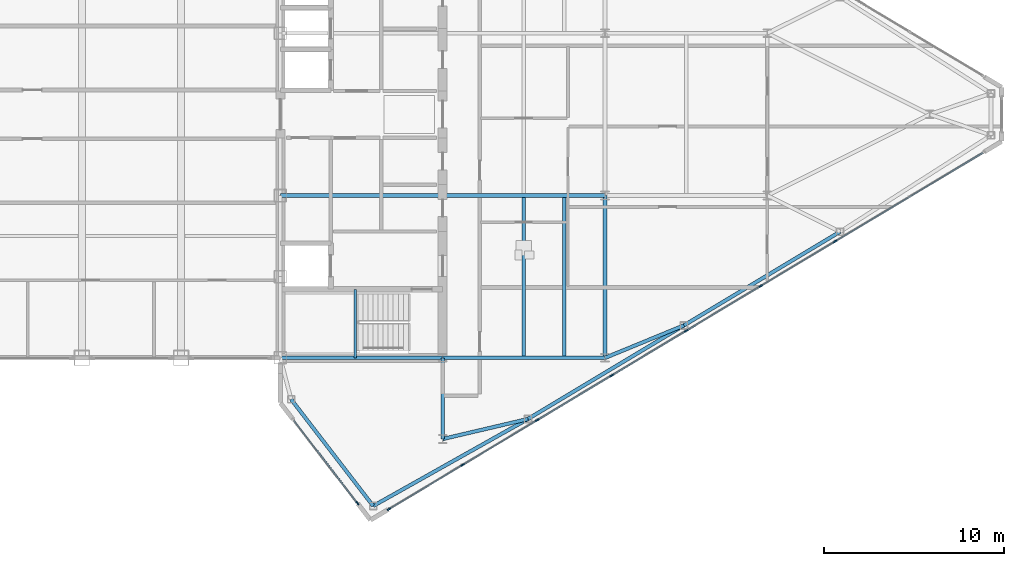
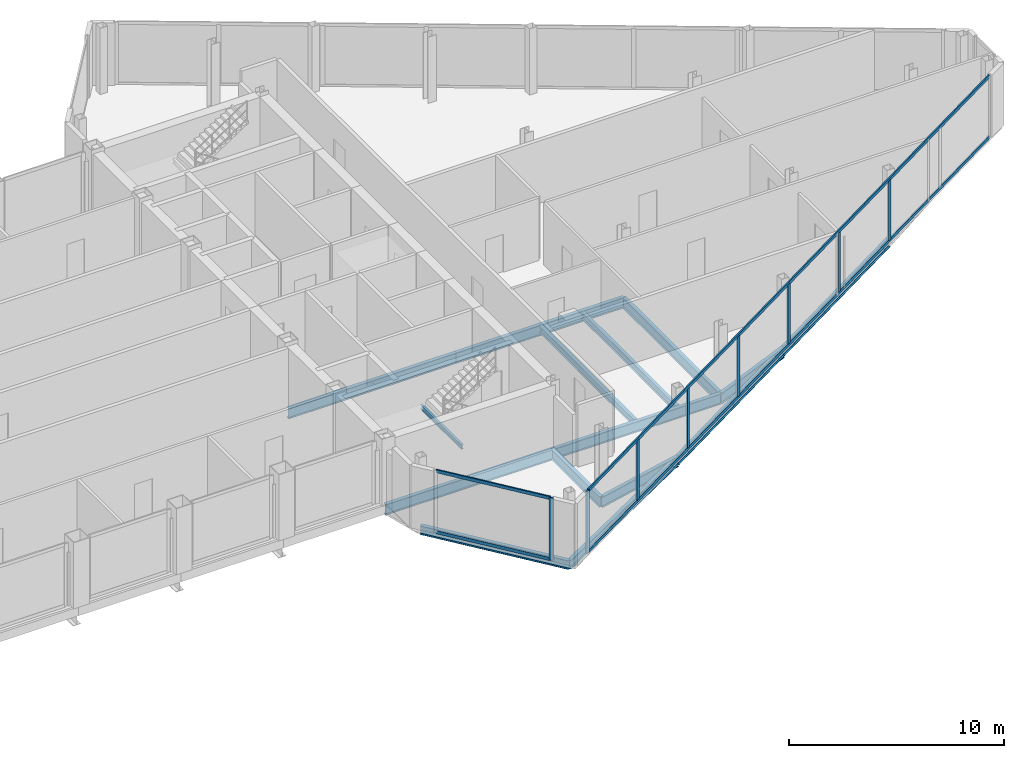
# One storey, part 14 of 29: 15 beams, 12 members, 2 elements without a shape of their own.
"""IFC4 building model written with IfcOpenShell, lengths in metres."""

from ifc_helpers import new_model, si_unit, direction, frame, origin, origin_2d, place, context, subcontext, project, spatial, rectangle, i_section, extrude, source, transform, mapped, material, layer, layer_set, material_profile, profile_set, type_object, type_shapes, element, aggregate, save


model = new_model("IFC4")

# Units and contexts
model_context = context("Model", 3, precision=1e-05, world=origin(), true_north=direction((0.0, 1.0)))
body_context = subcontext(model_context, "Body", "Model", "MODEL_VIEW")
ifc_project = project(units=[si_unit("LENGTHUNIT", "METRE"), si_unit("AREAUNIT", "SQUARE_METRE"), si_unit("VOLUMEUNIT", "CUBIC_METRE"), si_unit("PLANEANGLEUNIT", "RADIAN"), si_unit("MASSUNIT", "GRAM", prefix="KILO")], contexts=[model_context])

# Site, building, storey
site_placement = place(None, origin())
site = spatial("IfcSite", under=ifc_project, at=site_placement, CompositionType="ELEMENT")
building_placement = place(site_placement, origin())
building = spatial("IfcBuilding", under=site, at=building_placement, Name="Seokmaru Belvedere", CompositionType="ELEMENT")
storey_placement = place(building_placement, frame((0.0, 0.0, 258.14990234375)))
storey = spatial("IfcBuildingStorey", under=building, at=storey_placement, Name="L68", CompositionType="ELEMENT", Elevation=258.14990234375)

# Beams
ifc_material_1 = material(Name="Steel SM355 (355 MPa)", Category="steel")
ifc_material_profile_1 = material_profile(ifc_material_1, i_section(OverallWidth=0.199951171875, OverallDepth=0.60009765625, WebThickness=0.010986328125, FlangeThickness=0.01708984375, at=origin_2d()), Name="H-600x200x11x17")
ifc_profile_set_1 = profile_set([ifc_material_profile_1], Name="Steel SM355 (355 MPa)")
beam_type_1 = type_object("IfcBeamType", Name="Primary Floor Girder H-600", PredefinedType="BEAM", material=ifc_profile_set_1)
shared_shape_1 = source(origin(), body_context, "Body", "SweptSolid", [
    extrude(i_section(OverallWidth=0.199951171875, OverallDepth=0.60009765625, WebThickness=0.010986328125, FlangeThickness=0.01708984375, at=origin_2d()), origin(), (0.0, 0.0, 1.0), 9.0),
])
for number, where, z_axis, x_axis, name in (
    (1, (45.5, -13.5, -0.52001953125), (0.0, 1.0, 0.0), (-1.0, 0.0, 0.0), "L68 E Interior Grid Girder 1"),
    (2, (27.5, -13.5, -0.52001953125), (1.0, 0.0, 0.0), (0.0, 1.0, 0.0), "L68 E Core Tie Girder 1"),
    (3, (36.5, -13.5, -0.52001953125), (1.0, 0.0, 0.0), (0.0, 1.0, 0.0), "L68 E Wing Primary Girder 1"),
    (4, (27.5, -4.5, -0.52001953125), (1.0, 0.0, 0.0), (0.0, 1.0, 0.0), "L68 E Core Tie Girder 2"),
    (5, (36.5, -4.5, -0.52001953125), (1.0, 0.0, 0.0), (0.0, 1.0, 0.0), "L68 E Wing Primary Girder 2"),
):
    element("IfcBeam", number, at=place(storey_placement, frame(where, z_axis=z_axis, x_axis=x_axis)), inside=storey, type_object=beam_type_1, Name=name, PredefinedType="BEAM", context=body_context, shape_type="MappedRepresentation", body=[
        mapped(shared_shape_1, transform((0.0, 0.0, 0.0), scale=1.0)),
    ])
ifc_material_profile_2 = material_profile(ifc_material_1, i_section(OverallWidth=0.18505859375, OverallDepth=0.389892578125, WebThickness=0.008056640625, FlangeThickness=0.011962890625, at=origin_2d()), Name="H-390x185x8x12")
ifc_profile_set_2 = profile_set([ifc_material_profile_2], Name="Steel SM355 (355 MPa)")
beam_type_2 = type_object("IfcBeamType", Name="Secondary Floor Joist H-350", PredefinedType="JOIST", material=ifc_profile_set_2)
shared_shape_2 = source(origin(), body_context, "Body", "SweptSolid", [
    extrude(i_section(OverallWidth=0.18505859375, OverallDepth=0.389892578125, WebThickness=0.008056640625, FlangeThickness=0.011962890625, at=origin_2d()), origin(), (0.0, 0.0, 1.0), 8.7900390625),
])
type_shapes(beam_type_2, [shared_shape_2])
for number, where, z_axis, x_axis, name in (
    (6, (43.25, -13.39501953125, -0.414794921875), (0.0, 1.0, 0.0), (-1.0, 0.0, 0.0), "L68 E Wing Inner Secondary Joist 1"),
    (7, (41.0, -13.39501953125, -0.414794921875), (0.0, 1.0, 0.0), (-1.0, 0.0, 0.0), "L68 E Secondary Floor Joist 1"),
):
    element("IfcBeam", number, at=place(storey_placement, frame(where, z_axis=z_axis, x_axis=x_axis)), inside=storey, type_object=beam_type_2, Name=name, PredefinedType="JOIST", context=body_context, shape_type="MappedRepresentation", body=[
        mapped(shared_shape_2, transform((0.0, 0.0, 0.0), scale=1.0)),
    ])
shared_shape_3 = source(origin(), body_context, "Body", "SweptSolid", [
    extrude(i_section(OverallWidth=0.199951171875, OverallDepth=0.60009765625, WebThickness=0.010986328125, FlangeThickness=0.01708984375, at=origin_2d()), origin(), (0.0, 0.0, 1.0), 4.5),
])
beam_1_placement = place(storey_placement, frame((36.5, -18.0, -0.52001953125), z_axis=(0.0, 1.0, 0.0), x_axis=(-1.0, 0.0, 0.0)))
element("IfcBeam", 8, at=beam_1_placement, inside=storey, type_object=beam_type_1, Name="L68 E Core Shoulder Girder S", PredefinedType="BEAM", context=body_context, shape_type="MappedRepresentation", body=[
    mapped(shared_shape_3, transform((0.0, 0.0, 0.0), scale=1.0)),
])
ifc_material_profile_3 = material_profile(ifc_material_1, i_section(OverallWidth=0.199951171875, OverallDepth=0.5, WebThickness=0.010009765625, FlangeThickness=0.01611328125, at=origin_2d()), Name="H-500x200x10x16")
ifc_profile_set_3 = profile_set([ifc_material_profile_3], Name="Steel SM355 (355 MPa)")
beam_type_3 = type_object("IfcBeamType", Name="Perimeter Spandrel Beam H-500", PredefinedType="SPANDREL", material=ifc_profile_set_3)
shared_shape_4 = source(origin(), body_context, "Body", "SweptSolid", [
    extrude(i_section(OverallWidth=0.199951171875, OverallDepth=0.5, WebThickness=0.010009765625, FlangeThickness=0.01611328125, at=origin_2d()), origin(), (0.0, 0.0, 1.0), 9.842041015625),
])
beam_2_placement = place(storey_placement, frame((32.649658203125, -21.71044921875, -0.469970703125), z_axis=(0.871782151818, 0.489893743349, 0.0), x_axis=(-0.489893743349, 0.871782151818, 0.0)))
element("IfcBeam", 9, at=beam_2_placement, inside=storey, type_object=beam_type_3, Name="L68 E Faceted Flank Spandrel S-1", PredefinedType="SPANDREL", context=body_context, shape_type="MappedRepresentation", body=[
    mapped(shared_shape_4, transform((0.0, 0.0, 0.0), scale=1.0)),
])
shared_shape_5 = source(origin(), body_context, "Body", "SweptSolid", [
    extrude(i_section(OverallWidth=0.199951171875, OverallDepth=0.5, WebThickness=0.010009765625, FlangeThickness=0.01611328125, at=origin_2d()), origin(), (0.0, 0.0, 1.0), 10.087646484375),
])
for number, where, z_axis, x_axis, name in (
    (10, (41.229736328125, -16.888916015625, -0.469970703125), (0.857499332045, 0.514485078056, 0.0), (-0.514485078056, 0.857499332045, 0.0), "L68 E Faceted Flank Spandrel S-2"),
    (11, (49.8798828125, -11.698974609375, -0.469970703125), (0.857488654804, 0.514502873542, 0.0), (-0.514502873542, 0.857488654804, 0.0), "L68 E Faceted Flank Spandrel S-3"),
):
    element("IfcBeam", number, at=place(storey_placement, frame(where, z_axis=z_axis, x_axis=x_axis)), inside=storey, type_object=beam_type_3, Name=name, PredefinedType="SPANDREL", context=body_context, shape_type="MappedRepresentation", body=[
        mapped(shared_shape_5, transform((0.0, 0.0, 0.0), scale=1.0)),
    ])
shared_shape_6 = source(origin(), body_context, "Body", "SweptSolid", [
    extrude(i_section(OverallWidth=0.199951171875, OverallDepth=0.5, WebThickness=0.010009765625, FlangeThickness=0.01611328125, at=origin_2d()), origin(), (0.0, 0.0, 1.0), 7.4619140625),
])
type_shapes(beam_type_3, [shared_shape_4, shared_shape_5, shared_shape_6])
beam_3_placement = place(storey_placement, frame((32.649658203125, -21.71044921875, -0.469970703125), z_axis=(-0.609702854945, 0.792630070507, 0.0), x_axis=(-0.792630070507, -0.609702854945, 0.0)))
element("IfcBeam", 12, at=beam_3_placement, inside=storey, type_object=beam_type_3, Name="L68 E Shoulder Chamfer Spandrel S", PredefinedType="SPANDREL", context=body_context, shape_type="MappedRepresentation", body=[
    mapped(shared_shape_6, transform((0.0, 0.0, 0.0), scale=1.0)),
])
shared_shape_7 = source(origin(), body_context, "Body", "SweptSolid", [
    extrude(i_section(OverallWidth=0.199951171875, OverallDepth=0.60009765625, WebThickness=0.010986328125, FlangeThickness=0.01708984375, at=origin_2d()), origin(), (0.0, 0.0, 1.0), 4.8583984375),
])
beam_4_placement = place(storey_placement, frame((41.229736328125, -16.888916015625, -0.52001953125), z_axis=(-0.97349948295, -0.228689214211, 0.0), x_axis=(0.228689214211, -0.97349948295, 0.0)))
element("IfcBeam", 13, at=beam_4_placement, inside=storey, type_object=beam_type_1, Name="L68 E Flank Radial Floor Girder S-1", PredefinedType="BEAM", context=body_context, shape_type="MappedRepresentation", body=[
    mapped(shared_shape_7, transform((0.0, 0.0, 0.0), scale=1.0)),
])
shared_shape_8 = source(origin(), body_context, "Body", "SweptSolid", [
    extrude(i_section(OverallWidth=0.199951171875, OverallDepth=0.60009765625, WebThickness=0.010986328125, FlangeThickness=0.01708984375, at=origin_2d()), origin(), (0.0, 0.0, 1.0), 4.73583984375),
])
type_shapes(beam_type_1, [shared_shape_1, shared_shape_3, shared_shape_7, shared_shape_8])
beam_5_placement = place(storey_placement, frame((49.8798828125, -11.698974609375, -0.52001953125), z_axis=(-0.924860562953, -0.380306375301, 0.0), x_axis=(0.380306375301, -0.924860562953, 0.0)))
element("IfcBeam", 14, at=beam_5_placement, inside=storey, type_object=beam_type_1, Name="L68 E Flank Radial Floor Girder S-2", PredefinedType="BEAM", context=body_context, shape_type="MappedRepresentation", body=[
    mapped(shared_shape_8, transform((0.0, 0.0, 0.0), scale=1.0)),
])

# Curtain wall, members
ifc_material_2 = material(Name="Bronze Triple Insulating Glass", Category="glass")
ifc_layer = layer(ifc_material_2, 0.219970703125)
ifc_layer_set = layer_set([ifc_layer], Name="Bronze Triple Insulating Glass")
curtain_wall_type = type_object("IfcCurtainWallType", Name="Sky-Gate Bridge Panorama Curtain Wall System CW-6", PredefinedType="NOTDEFINED", material=ifc_layer_set)
curtain_wall_1_placement = place(storey_placement, origin())
curtain_wall_1 = element("IfcCurtainWall", 15, at=curtain_wall_1_placement, inside=storey, type_object=curtain_wall_type, Name="L68 Curtain Wall EF6", PredefinedType="NOTDEFINED")
ifc_material_3 = material(Name="Anodised Bronze Aluminium", Category="aluminium")
ifc_material_profile_4 = material_profile(ifc_material_3, rectangle(XDim=0.074951171875, YDim=0.179931640625, at=origin_2d()), Name="CW-T-75x180")
ifc_profile_set_4 = profile_set([ifc_material_profile_4], Name="Anodised Bronze Aluminium")
member_type_1 = type_object("IfcMemberType", Name="Bronze Unitised Transom 75x180", PredefinedType="USERDEFINED", material=ifc_profile_set_4)
shared_shape_9 = source(origin(), body_context, "Body", "SweptSolid", [
    extrude(rectangle(XDim=0.074951171875, YDim=0.179931640625, at=origin_2d()), origin(), (0.0, 0.0, 1.0), 5.74072265625),
])
member_1_placement = place(storey_placement, frame((28.25, -16.974853515625, 0.03759765625), z_axis=(0.609686097287, -0.792642960465, 0.0), x_axis=(0.792642960465, 0.609686097287, 0.0)))
member_1 = element("IfcMember", 16, at=member_1_placement, type_object=member_type_1, Name="CW:L68:EF6 Continuous Transom 1", ObjectType="TRANSOM", PredefinedType="USERDEFINED", context=body_context, shape_type="MappedRepresentation", body=[
    mapped(shared_shape_9, transform((0.0, 0.0, 0.0), scale=1.0)),
])
member_2_placement = place(storey_placement, frame((28.25, -16.974853515625, 3.49267578125), z_axis=(0.609686097287, -0.792642960465, 0.0), x_axis=(0.792642960465, 0.609686097287, 0.0)))
member_2 = element("IfcMember", 17, at=member_2_placement, type_object=member_type_1, Name="CW:L68:EF6 Continuous Transom 2", ObjectType="TRANSOM", PredefinedType="USERDEFINED", context=body_context, shape_type="MappedRepresentation", body=[
    mapped(shared_shape_9, transform((0.0, 0.0, 0.0), scale=1.0)),
])

curtain_wall_2_placement = place(storey_placement, origin())
curtain_wall_2 = element("IfcCurtainWall", 18, at=curtain_wall_2_placement, inside=storey, type_object=curtain_wall_type, Name="L68 Curtain Wall EF1", PredefinedType="NOTDEFINED")
shared_shape_10 = source(origin(), body_context, "Body", "SweptSolid", [
    extrude(rectangle(XDim=0.074951171875, YDim=0.179931640625, at=origin_2d()), origin(), (0.0, 0.0, 1.0), 38.356689453125),
])
type_shapes(member_type_1, [shared_shape_9, shared_shape_10])
member_3_placement = place(storey_placement, frame((33.5546875, -21.8671875, 0.03759765625), z_axis=(0.857492925713, 0.514495755428, 0.0), x_axis=(-0.514495755428, 0.857492925713, 0.0)))
member_3 = element("IfcMember", 19, at=member_3_placement, type_object=member_type_1, Name="CW:L68:EF1 Continuous Transom 1", ObjectType="TRANSOM", PredefinedType="USERDEFINED", context=body_context, shape_type="MappedRepresentation", body=[
    mapped(shared_shape_10, transform((0.0, 0.0, 0.0), scale=1.0)),
])
member_4_placement = place(storey_placement, frame((33.5546875, -21.8671875, 3.49267578125), z_axis=(0.857492925713, 0.514495755428, 0.0), x_axis=(-0.514495755428, 0.857492925713, 0.0)))
member_4 = element("IfcMember", 20, at=member_4_placement, type_object=member_type_1, Name="CW:L68:EF1 Continuous Transom 2", ObjectType="TRANSOM", PredefinedType="USERDEFINED", context=body_context, shape_type="MappedRepresentation", body=[
    mapped(shared_shape_10, transform((0.0, 0.0, 0.0), scale=1.0)),
])
ifc_material_profile_5 = material_profile(ifc_material_3, rectangle(XDim=0.080078125, YDim=0.219970703125, at=origin_2d()), Name="CW-M-80x220")
ifc_profile_set_5 = profile_set([ifc_material_profile_5], Name="Anodised Bronze Aluminium")
member_type_2 = type_object("IfcMemberType", Name="Bronze Unitised Mullion 80x220", PredefinedType="MULLION", material=ifc_profile_set_5)
shared_shape_11 = source(origin(), body_context, "Body", "SweptSolid", [
    extrude(rectangle(XDim=0.080078125, YDim=0.219970703125, at=origin_2d()), origin(), (0.0, 0.0, 1.0), 3.530029296875),
])
member_5_placement = place(storey_placement, frame((33.5205078125, -21.8876953125, 0.0), z_axis=(0.0, 0.0, 1.0), x_axis=(-0.514494909364, 0.85749343335, 0.0)))
member_5 = element("IfcMember", 21, at=member_5_placement, type_object=member_type_2, Name="CW:L68:EF1 Mullion 1", PredefinedType="MULLION", context=body_context, shape_type="MappedRepresentation", body=[
    mapped(shared_shape_11, transform((0.0, 0.0, 0.0), scale=1.0)),
])

# Member
member_6_placement = place(storey_placement, frame((31.7744140625, -21.556884765625, 0.0), z_axis=(0.0, 0.0, 1.0), x_axis=(0.792631353244, 0.609701187349, 0.0)))
member_6 = element("IfcMember", 22, at=member_6_placement, type_object=member_type_2, Name="CW:L68:EF6 Mullion 2", PredefinedType="MULLION", context=body_context, shape_type="MappedRepresentation", body=[
    mapped(shared_shape_11, transform((0.0, 0.0, 0.0), scale=1.0)),
])

aggregate(curtain_wall_1, [member_6, member_1, member_2])

shared_shape_12 = source(origin(), body_context, "Body", "SweptSolid", [
    extrude(rectangle(XDim=0.080078125, YDim=0.219970703125, at=origin_2d()), origin(), (0.0, 0.0, 1.0), 3.3798828125),
])
type_shapes(member_type_2, [shared_shape_11, shared_shape_12])
member_7_placement = place(storey_placement, frame((37.614501953125, -19.43115234375, 0.0751953125), z_axis=(0.0, 0.0, 1.0), x_axis=(-0.514494909364, 0.85749343335, 0.0)))
member_7 = element("IfcMember", 23, at=member_7_placement, type_object=member_type_2, Name="CW:L68:EF1 Mullion 2", PredefinedType="MULLION", context=body_context, shape_type="MappedRepresentation", body=[
    mapped(shared_shape_12, transform((0.0, 0.0, 0.0), scale=1.0)),
])

member_8_placement = place(storey_placement, frame((41.7431640625, -16.9541015625, 0.0751953125), z_axis=(0.0, 0.0, 1.0), x_axis=(-0.514494909364, 0.85749343335, 0.0)))
member_8 = element("IfcMember", 24, at=member_8_placement, type_object=member_type_2, Name="CW:L68:EF1 Mullion 3", PredefinedType="MULLION", context=body_context, shape_type="MappedRepresentation", body=[
    mapped(shared_shape_12, transform((0.0, 0.0, 0.0), scale=1.0)),
])

member_9_placement = place(storey_placement, frame((45.87158203125, -14.47705078125, 0.0751953125), z_axis=(0.0, 0.0, 1.0), x_axis=(-0.514494909364, 0.85749343335, 0.0)))
member_9 = element("IfcMember", 25, at=member_9_placement, type_object=member_type_2, Name="CW:L68:EF1 Mullion 4", PredefinedType="MULLION", context=body_context, shape_type="MappedRepresentation", body=[
    mapped(shared_shape_12, transform((0.0, 0.0, 0.0), scale=1.0)),
])

member_10_placement = place(storey_placement, frame((50.0, -12.0, 0.0751953125), z_axis=(0.0, 0.0, 1.0), x_axis=(-0.514494909364, 0.85749343335, 0.0)))
member_10 = element("IfcMember", 26, at=member_10_placement, type_object=member_type_2, Name="CW:L68:EF1 Mullion 5", PredefinedType="MULLION", context=body_context, shape_type="MappedRepresentation", body=[
    mapped(shared_shape_12, transform((0.0, 0.0, 0.0), scale=1.0)),
])

member_11_placement = place(storey_placement, frame((54.12841796875, -9.52294921875, 0.0751953125), z_axis=(0.0, 0.0, 1.0), x_axis=(-0.514494909364, 0.85749343335, 0.0)))
member_11 = element("IfcMember", 27, at=member_11_placement, type_object=member_type_2, Name="CW:L68:EF1 Mullion 6", PredefinedType="MULLION", context=body_context, shape_type="MappedRepresentation", body=[
    mapped(shared_shape_12, transform((0.0, 0.0, 0.0), scale=1.0)),
])

member_12_placement = place(storey_placement, frame((58.257080078125, -7.0458984375, 0.0751953125), z_axis=(0.0, 0.0, 1.0), x_axis=(-0.514494909364, 0.85749343335, 0.0)))
member_12 = element("IfcMember", 28, at=member_12_placement, type_object=member_type_2, Name="CW:L68:EF1 Mullion 7", PredefinedType="MULLION", context=body_context, shape_type="MappedRepresentation", body=[
    mapped(shared_shape_12, transform((0.0, 0.0, 0.0), scale=1.0)),
])

aggregate(curtain_wall_2, [member_5, member_7, member_8, member_9, member_10, member_11, member_12, member_3, member_4])

# Beam
ifc_material_profile_6 = material_profile(ifc_material_1, i_section(OverallWidth=0.125, OverallDepth=0.25, WebThickness=0.006103515625, FlangeThickness=0.009033203125, at=origin_2d()), Name="H-250x125x6x9")
ifc_profile_set_6 = profile_set([ifc_material_profile_6], Name="Steel SM355 (355 MPa)")
beam_type_4 = type_object("IfcBeamType", Name="Stair Mid-Landing Support Beam H-250", PredefinedType="JOIST", material=ifc_profile_set_6)
shared_shape_13 = source(origin(), body_context, "Body", "SweptSolid", [
    extrude(i_section(OverallWidth=0.125, OverallDepth=0.25, WebThickness=0.006103515625, FlangeThickness=0.009033203125, at=origin_2d()), origin(), (0.0, 0.0, 1.0), 3.800048828125),
])
type_shapes(beam_type_4, [shared_shape_13])
beam_6_placement = place(storey_placement, frame((31.64990234375, -13.5, 1.550048828125), z_axis=(0.0, 1.0, 0.0), x_axis=(-1.0, 0.0, 0.0)))
element("IfcBeam", 29, at=beam_6_placement, inside=storey, type_object=beam_type_4, Name="L68 Stair ST-E1 Mid-Landing Support Beam 1", PredefinedType="JOIST", context=body_context, shape_type="MappedRepresentation", body=[
    mapped(shared_shape_13, transform((0.0, 0.0, 0.0), scale=1.0)),
])

save(model, "model.ifc")
